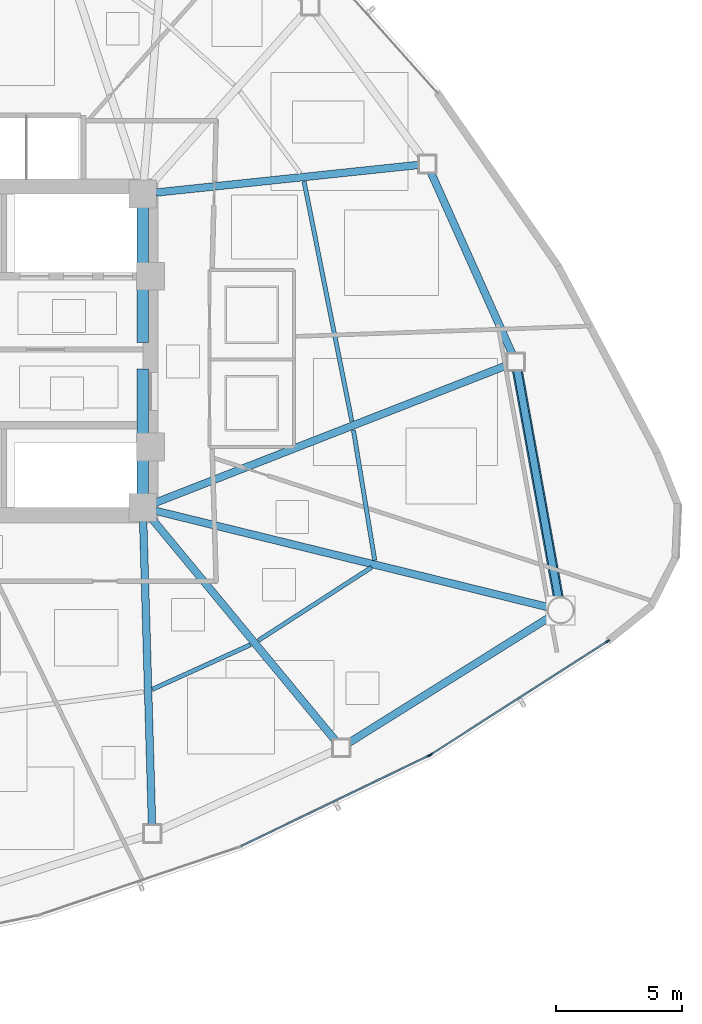
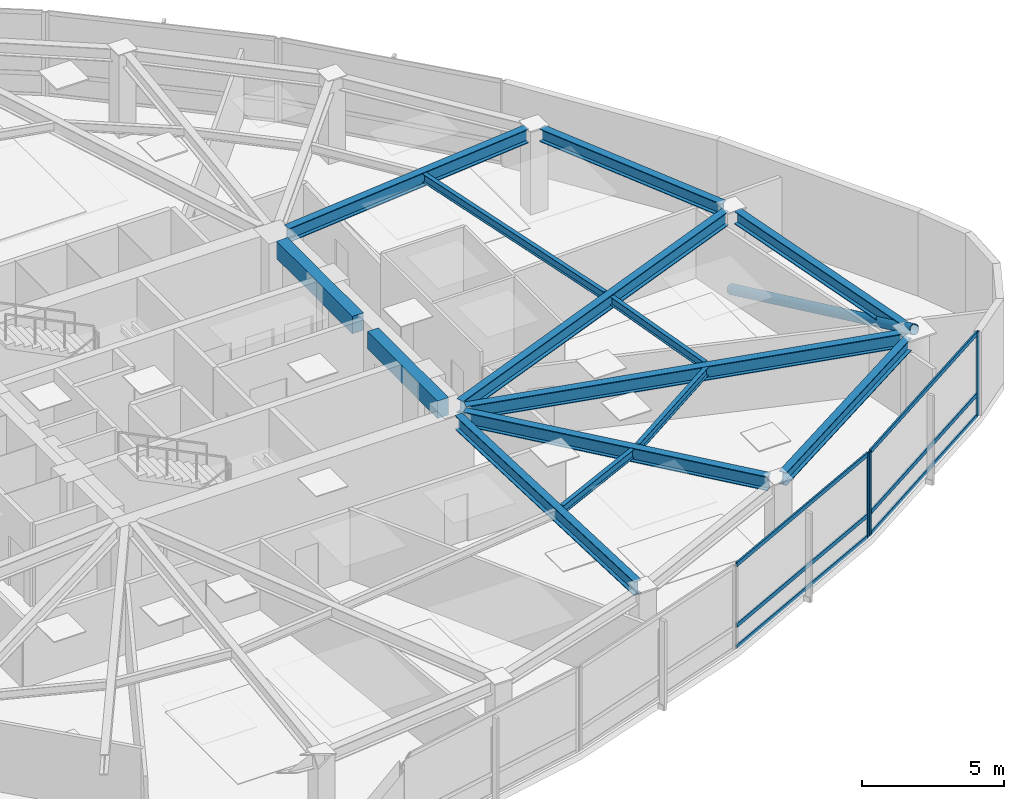
# One storey, part 6 of 17: 14 beams, 10 members, 2 elements without a shape of their own.
"""IFC4 building model written with IfcOpenShell, lengths in metres."""

from ifc_helpers import new_model, si_unit, direction, frame, origin, origin_2d, place, context, subcontext, project, spatial, rectangle, hollow_rectangle, hollow_circle, i_section, extrude, source, transform, mapped, material, layer, layer_set, material_profile, profile_set, type_object, type_shapes, element, aggregate, save


model = new_model("IFC4")

# Units and contexts
model_context = context("Model", 3, precision=1e-05, world=origin(), true_north=direction((0.0, 1.0)))
body_context = subcontext(model_context, "Body", "Model", "MODEL_VIEW")
ifc_project = project(units=[si_unit("LENGTHUNIT", "METRE"), si_unit("AREAUNIT", "SQUARE_METRE"), si_unit("VOLUMEUNIT", "CUBIC_METRE"), si_unit("PLANEANGLEUNIT", "RADIAN"), si_unit("MASSUNIT", "GRAM", prefix="KILO")], contexts=[model_context])

# Site, building, storey
site_placement = place(None, origin())
site = spatial("IfcSite", under=ifc_project, at=site_placement, CompositionType="ELEMENT")
building_placement = place(site_placement, origin())
building = spatial("IfcBuilding", under=site, at=building_placement, Name="Tavelor Broadcast Tower", CompositionType="ELEMENT")
storey_placement = place(building_placement, frame((0.0, 0.0, 90.0)))
storey = spatial("IfcBuildingStorey", under=building, at=storey_placement, Name="L21", CompositionType="ELEMENT", Elevation=90.0)

# Beams
ifc_material_1 = material(Name="Concrete C40/50", Category="concrete")
ifc_material_profile_1 = material_profile(ifc_material_1, rectangle(XDim=0.449951171875, YDim=0.75, at=origin_2d()), Name="RC 450x750")
ifc_profile_set_1 = profile_set([ifc_material_profile_1], Name="Concrete C40/50")
beam_type_1 = type_object("IfcBeamType", Name="Basement Core Trim Beam 450x750", PredefinedType="BEAM", material=ifc_profile_set_1)
beam_1_placement = place(storey_placement, frame((56.60009765625, 45.327880859375, 3.22509765625), z_axis=(0.0, 1.0, 0.0), x_axis=(-1.0, 0.0, 0.0)))
element("IfcBeam", 1, at=beam_1_placement, inside=storey, type_object=beam_type_1, Name="L21 Core East-N Tie Girder", PredefinedType="BEAM", context=body_context, shape_type="SweptSolid", body=[
    extrude(rectangle(XDim=0.449951171875, YDim=0.75, at=origin_2d()), origin(), (0.0, 0.0, 1.0), 5.34423828125),
])
beam_2_placement = place(storey_placement, frame((56.60009765625, 39.327880859375, 3.22509765625), z_axis=(0.0, 1.0, 0.0), x_axis=(-1.0, 0.0, 0.0)))
element("IfcBeam", 2, at=beam_2_placement, inside=storey, type_object=beam_type_1, Name="L21 Core East-S Tie Girder", PredefinedType="BEAM", context=body_context, shape_type="SweptSolid", body=[
    extrude(rectangle(XDim=0.449951171875, YDim=0.75, at=origin_2d()), origin(), (0.0, 0.0, 1.0), 4.944091796875),
])
ifc_material_2 = material(Name="Steel S355", Category="steel")
ifc_material_profile_2 = material_profile(ifc_material_2, i_section(OverallWidth=0.169921875, OverallDepth=0.360107421875, WebThickness=0.008056640625, FlangeThickness=0.0126953125, at=origin_2d()), Name="IPE 360")
ifc_profile_set_2 = profile_set([ifc_material_profile_2], Name="Steel S355")
beam_type_2 = type_object("IfcBeamType", Name="Composite Floor Joist T2 IPE 360", PredefinedType="JOIST", material=ifc_profile_set_2)
beam_3_placement = place(storey_placement, frame((56.976318359375, 31.61865234375, 3.419921875), z_axis=(0.910576347723, 0.413340918573, 0.0), x_axis=(-0.413340918573, 0.910576347723, 0.0)))
element("IfcBeam", 3, at=beam_3_placement, inside=storey, type_object=beam_type_2, Name="L21 Secondary Composite Floor Joist 11", PredefinedType="JOIST", context=body_context, shape_type="SweptSolid", body=[
    extrude(i_section(OverallWidth=0.169921875, OverallDepth=0.360107421875, WebThickness=0.008056640625, FlangeThickness=0.0126953125, at=origin_2d()), origin(), (0.0, 0.0, 1.0), 4.26025390625),
])
beam_4_placement = place(storey_placement, frame((61.172607421875, 33.552490234375, 3.419921875), z_axis=(0.839830816691, 0.542848228639, 0.0), x_axis=(-0.542848228639, 0.839830816691, 0.0)))
element("IfcBeam", 4, at=beam_4_placement, inside=storey, type_object=beam_type_2, Name="L21 Secondary Composite Floor Joist 12", PredefinedType="JOIST", context=body_context, shape_type="SweptSolid", body=[
    extrude(i_section(OverallWidth=0.169921875, OverallDepth=0.360107421875, WebThickness=0.008056640625, FlangeThickness=0.0126953125, at=origin_2d()), origin(), (0.0, 0.0, 1.0), 5.325439453125),
])
beam_5_placement = place(storey_placement, frame((65.767822265625, 36.72021484375, 3.419921875), z_axis=(-0.161277112784, 0.986909161419, 0.0), x_axis=(-0.986909161419, -0.161277112784, 0.0)))
element("IfcBeam", 5, at=beam_5_placement, inside=storey, type_object=beam_type_2, Name="L21 Secondary Composite Floor Joist 13", PredefinedType="JOIST", context=body_context, shape_type="SweptSolid", body=[
    extrude(i_section(OverallWidth=0.169921875, OverallDepth=0.360107421875, WebThickness=0.008056640625, FlangeThickness=0.0126953125, at=origin_2d()), origin(), (0.0, 0.0, 1.0), 5.213623046875),
])
beam_6_placement = place(storey_placement, frame((64.8623046875, 42.2216796875, 3.419921875), z_axis=(-0.195581157194, 0.980687519524, 0.0), x_axis=(-0.980687519524, -0.195581157194, 0.0)))
element("IfcBeam", 6, at=beam_6_placement, inside=storey, type_object=beam_type_2, Name="L21 Secondary Composite Floor Joist 14", PredefinedType="JOIST", context=body_context, shape_type="SweptSolid", body=[
    extrude(i_section(OverallWidth=0.169921875, OverallDepth=0.360107421875, WebThickness=0.008056640625, FlangeThickness=0.0126953125, at=origin_2d()), origin(), (0.0, 0.0, 1.0), 9.654296875),
])
ifc_material_profile_3 = material_profile(ifc_material_2, i_section(OverallWidth=0.300048828125, OverallDepth=0.550048828125, WebThickness=0.014892578125, FlangeThickness=0.029052734375, at=origin_2d()), Name="HEB 550")
ifc_profile_set_3 = profile_set([ifc_material_profile_3], Name="Steel S355")
beam_type_3 = type_object("IfcBeamType", Name="Perimeter Spandrel Beam T2 HEB 550", PredefinedType="SPANDREL", material=ifc_profile_set_3)
beam_7_placement = place(storey_placement, frame((64.728271484375, 29.493408203125, 3.324951171875), z_axis=(0.847666386228, 0.530529638813, 0.0), x_axis=(-0.530529638813, 0.847666386228, 0.0)))
element("IfcBeam", 7, at=beam_7_placement, inside=storey, type_object=beam_type_3, Name="L21 Framed-Tube Ring Spandrel 12", PredefinedType="SPANDREL", context=body_context, shape_type="SweptSolid", body=[
    extrude(i_section(OverallWidth=0.300048828125, OverallDepth=0.550048828125, WebThickness=0.014892578125, FlangeThickness=0.029052734375, at=origin_2d()), origin(), (0.0, 0.0, 1.0), 9.385009765625),
])
beam_8_placement = place(storey_placement, frame((73.02685546875, 35.248046875, 3.324951171875), z_axis=(-0.177746542691, 0.984076301189, 0.0), x_axis=(-0.984076301189, -0.177746542691, 0.0)))
element("IfcBeam", 8, at=beam_8_placement, inside=storey, type_object=beam_type_3, Name="L21 Framed-Tube Ring Spandrel 13", PredefinedType="SPANDREL", context=body_context, shape_type="SweptSolid", body=[
    extrude(i_section(OverallWidth=0.300048828125, OverallDepth=0.550048828125, WebThickness=0.014892578125, FlangeThickness=0.029052734375, at=origin_2d()), origin(), (0.0, 0.0, 1.0), 9.13134765625),
])
beam_9_placement = place(storey_placement, frame((71.206787109375, 44.87109375, 3.324951171875), z_axis=(-0.408951132019, 0.912556284084, 0.0), x_axis=(-0.912556284084, -0.408951132019, 0.0)))
element("IfcBeam", 9, at=beam_9_placement, inside=storey, type_object=beam_type_3, Name="L21 Framed-Tube Ring Spandrel 14", PredefinedType="SPANDREL", context=body_context, shape_type="SweptSolid", body=[
    extrude(i_section(OverallWidth=0.300048828125, OverallDepth=0.550048828125, WebThickness=0.014892578125, FlangeThickness=0.029052734375, at=origin_2d()), origin(), (0.0, 0.0, 1.0), 7.895263671875),
])

# Member
ifc_material_profile_4 = material_profile(ifc_material_2, hollow_circle(Radius=0.203125, WallThickness=0.02001953125, at=origin_2d()), Name="CHS 406.4x20")
ifc_profile_set_4 = profile_set([ifc_material_profile_4], Name="Steel S355")
member_type_1 = type_object("IfcMemberType", Name="Perimeter Tube Brace T2 CHS 406.4x20", PredefinedType="BRACE", material=ifc_profile_set_4)
member_1_placement = place(storey_placement, frame((71.343994140625, 44.564697265625, 0.0), z_axis=(0.167205980675, -0.925685078259, 0.339336552578), x_axis=(0.984075144607, 0.177752945874, 0.0)))
element("IfcMember", 10, at=member_1_placement, inside=storey, type_object=member_type_1, Name="L21 Corner Tube Diagonal Brace 3", PredefinedType="BRACE", context=body_context, shape_type="SweptSolid", body=[
    extrude(hollow_circle(Radius=0.203125, WallThickness=0.02001953125, at=origin_2d()), origin(), (0.0, 0.0, 1.0), 10.609130859375),
])

# Beams
ifc_material_profile_5 = material_profile(ifc_material_2, i_section(OverallWidth=0.300048828125, OverallDepth=0.60009765625, WebThickness=0.015380859375, FlangeThickness=0.030029296875, at=origin_2d()), Name="HEB 600")
ifc_profile_set_5 = profile_set([ifc_material_profile_5], Name="Steel S355")
beam_type_4 = type_object("IfcBeamType", Name="Radial Floor Girder T2 HEB 600", PredefinedType="BEAM", material=ifc_profile_set_5)
beam_10_placement = place(storey_placement, frame((56.615478515625, 38.272216796875, 3.300048828125), z_axis=(0.029126279866, -0.999575739912, 0.0), x_axis=(0.999575739912, 0.029126279866, 0.0)))
element("IfcBeam", 11, at=beam_10_placement, inside=storey, type_object=beam_type_4, Name="L21 Radial Primary Floor Girder 11", PredefinedType="BEAM", context=body_context, shape_type="SweptSolid", body=[
    extrude(i_section(OverallWidth=0.300048828125, OverallDepth=0.60009765625, WebThickness=0.015380859375, FlangeThickness=0.030029296875, at=origin_2d()), origin(), (0.0, 0.0, 1.0), 12.02001953125),
])
beam_11_placement = place(storey_placement, frame((56.9365234375, 38.39306640625, 3.300048828125), z_axis=(0.637277760564, -0.770634190709, 0.0), x_axis=(0.770634190709, 0.637277760564, 0.0)))
element("IfcBeam", 12, at=beam_11_placement, inside=storey, type_object=beam_type_4, Name="L21 Radial Primary Floor Girder 12", PredefinedType="BEAM", context=body_context, shape_type="SweptSolid", body=[
    extrude(i_section(OverallWidth=0.300048828125, OverallDepth=0.60009765625, WebThickness=0.015380859375, FlangeThickness=0.030029296875, at=origin_2d()), origin(), (0.0, 0.0, 1.0), 11.44384765625),
])
beam_12_placement = place(storey_placement, frame((57.11279296875, 38.674072265625, 3.300048828125), z_axis=(0.971151145926, -0.238464780979, 0.0), x_axis=(0.238464780979, 0.971151145926, 0.0)))
element("IfcBeam", 13, at=beam_12_placement, inside=storey, type_object=beam_type_4, Name="L21 Radial Primary Floor Girder 13", PredefinedType="BEAM", context=body_context, shape_type="SweptSolid", body=[
    extrude(i_section(OverallWidth=0.300048828125, OverallDepth=0.60009765625, WebThickness=0.015380859375, FlangeThickness=0.030029296875, at=origin_2d()), origin(), (0.0, 0.0, 1.0), 15.96826171875),
])
beam_13_placement = place(storey_placement, frame((57.091796875, 38.9921875, 3.300048828125), z_axis=(0.931341899941, 0.36414593972, 0.0), x_axis=(-0.36414593972, 0.931341899941, 0.0)))
element("IfcBeam", 14, at=beam_13_placement, inside=storey, type_object=beam_type_4, Name="L21 Radial Primary Floor Girder 14", PredefinedType="BEAM", context=body_context, shape_type="SweptSolid", body=[
    extrude(i_section(OverallWidth=0.300048828125, OverallDepth=0.60009765625, WebThickness=0.015380859375, FlangeThickness=0.030029296875, at=origin_2d()), origin(), (0.0, 0.0, 1.0), 14.967041015625),
])
beam_14_placement = place(storey_placement, frame((57.125, 51.255126953125, 3.300048828125), z_axis=(0.994510577777, 0.104636086941, 0.0), x_axis=(-0.104636086941, 0.994510577777, 0.0)))
element("IfcBeam", 15, at=beam_14_placement, inside=storey, type_object=beam_type_4, Name="L21 Radial Primary Floor Girder 15", PredefinedType="BEAM", context=body_context, shape_type="SweptSolid", body=[
    extrude(i_section(OverallWidth=0.300048828125, OverallDepth=0.60009765625, WebThickness=0.015380859375, FlangeThickness=0.030029296875, at=origin_2d()), origin(), (0.0, 0.0, 1.0), 10.43896484375),
])

# Curtain wall, member
ifc_material_3 = material(Name="Architectural Anodized Aluminium", Category="aluminium")
ifc_layer = layer(ifc_material_3, 0.179931640625)
ifc_layer_set = layer_set([ifc_layer], Name="Architectural Anodized Aluminium")
curtain_wall_type = type_object("IfcCurtainWallType", Name="Tower Low-Zone Unitised Curtain Wall CW02", PredefinedType="NOTDEFINED", material=ifc_layer_set)
curtain_wall_1_placement = place(storey_placement, origin())
curtain_wall_1 = element("IfcCurtainWall", 16, at=curtain_wall_1_placement, inside=storey, type_object=curtain_wall_type, Name="L21 Curtain Wall CW02 Run 211", PredefinedType="NOTDEFINED")
ifc_material_profile_6 = material_profile(ifc_material_3, hollow_rectangle(XDim=0.06494140625, YDim=0.179931640625, WallThickness=0.02197265625, at=origin_2d()), Name="RHS 65x180x22")
ifc_profile_set_6 = profile_set([ifc_material_profile_6], Name="Architectural Anodized Aluminium")
member_type_2 = type_object("IfcMemberType", Name="CW02 Extruded Aluminium Mullion 65x180", PredefinedType="MULLION", material=ifc_profile_set_6)
shared_shape_1 = source(origin(), body_context, "Body", "SweptSolid", [
    extrude(hollow_rectangle(XDim=0.06494140625, YDim=0.179931640625, WallThickness=0.02197265625, at=origin_2d()), origin(), (0.0, 0.0, 1.0), 3.60009765625),
])
type_shapes(member_type_2, [shared_shape_1])
member_2_placement = place(storey_placement, frame((67.912841796875, 28.996826171875, 0.0), z_axis=(0.0, 0.0, 1.0), x_axis=(-0.434067422575, 0.900880387543, 0.0)))
member_2 = element("IfcMember", 17, at=member_2_placement, type_object=member_type_2, Name="CW02 mullion 2", PredefinedType="MULLION", context=body_context, shape_type="MappedRepresentation", body=[
    mapped(shared_shape_1, transform((0.0, 0.0, 0.0), scale=1.0)),
])

# Curtain wall, members
curtain_wall_2_placement = place(storey_placement, origin())
curtain_wall_2 = element("IfcCurtainWall", 18, at=curtain_wall_2_placement, inside=storey, type_object=curtain_wall_type, Name="L21 Curtain Wall CW02 Run 212", PredefinedType="NOTDEFINED")
member_3_placement = place(storey_placement, frame((67.99560546875, 29.043212890625, 0.0), z_axis=(0.0, 0.0, 1.0), x_axis=(-0.539896582265, 0.841731358842, 0.0)))
member_3 = element("IfcMember", 19, at=member_3_placement, type_object=member_type_2, Name="CW02 mullion 1", PredefinedType="MULLION", context=body_context, shape_type="MappedRepresentation", body=[
    mapped(shared_shape_1, transform((0.0, 0.0, 0.0), scale=1.0)),
])
member_4_placement = place(storey_placement, frame((74.96923828125, 33.51611328125, 0.0), z_axis=(0.0, 0.0, 1.0), x_axis=(-0.539896582265, 0.841731358842, 0.0)))
member_4 = element("IfcMember", 20, at=member_4_placement, type_object=member_type_2, Name="CW02 mullion 2", PredefinedType="MULLION", context=body_context, shape_type="MappedRepresentation", body=[
    mapped(shared_shape_1, transform((0.0, 0.0, 0.0), scale=1.0)),
])

# Member
ifc_material_profile_7 = material_profile(ifc_material_3, hollow_rectangle(XDim=0.06494140625, YDim=0.179931640625, WallThickness=0.02197265625, at=origin_2d()), Name="RHS 65x180x22")
ifc_profile_set_7 = profile_set([ifc_material_profile_7], Name="Architectural Anodized Aluminium")
member_type_3 = type_object("IfcMemberType", Name="CW02 Extruded Aluminium Transom 65x180", PredefinedType="USERDEFINED", material=ifc_profile_set_7)
shared_shape_2 = source(origin(), body_context, "Body", "SweptSolid", [
    extrude(hollow_rectangle(XDim=0.06494140625, YDim=0.179931640625, WallThickness=0.02197265625, at=origin_2d()), origin(), (0.0, 0.0, 1.0), 8.203857421875),
])
member_5_placement = place(storey_placement, frame((60.492919921875, 25.421630859375, 0.032470703125), z_axis=(0.900878419968, 0.434071506133, 0.0), x_axis=(-0.434071506133, 0.900878419968, 0.0)))
member_5 = element("IfcMember", 21, at=member_5_placement, type_object=member_type_3, Name="CW02 transom 1.1", ObjectType="TRANSOM", PredefinedType="USERDEFINED", context=body_context, shape_type="MappedRepresentation", body=[
    mapped(shared_shape_2, transform((0.0, 0.0, 0.0), scale=1.0)),
])

member_6_placement = place(storey_placement, frame((60.492919921875, 25.421630859375, 0.949951171875), z_axis=(0.900878419968, 0.434071506133, 0.0), x_axis=(-0.434071506133, 0.900878419968, 0.0)))
member_6 = element("IfcMember", 22, at=member_6_placement, type_object=member_type_3, Name="CW02 transom 1.2", ObjectType="TRANSOM", PredefinedType="USERDEFINED", context=body_context, shape_type="MappedRepresentation", body=[
    mapped(shared_shape_2, transform((0.0, 0.0, 0.0), scale=1.0)),
])

member_7_placement = place(storey_placement, frame((60.492919921875, 25.421630859375, 3.5673828125), z_axis=(0.900878419968, 0.434071506133, 0.0), x_axis=(-0.434071506133, 0.900878419968, 0.0)))
member_7 = element("IfcMember", 23, at=member_7_placement, type_object=member_type_3, Name="CW02 transom 1.3", ObjectType="TRANSOM", PredefinedType="USERDEFINED", context=body_context, shape_type="MappedRepresentation", body=[
    mapped(shared_shape_2, transform((0.0, 0.0, 0.0), scale=1.0)),
])

aggregate(curtain_wall_1, [member_2, member_5, member_6, member_7])

shared_shape_3 = source(origin(), body_context, "Body", "SweptSolid", [
    extrude(hollow_rectangle(XDim=0.06494140625, YDim=0.179931640625, WallThickness=0.02197265625, at=origin_2d()), origin(), (0.0, 0.0, 1.0), 8.2197265625),
])
type_shapes(member_type_3, [shared_shape_2, shared_shape_3])
member_8_placement = place(storey_placement, frame((68.02294921875, 29.060791015625, 0.032470703125), z_axis=(0.841739668962, 0.539883626067, 0.0), x_axis=(-0.539883626067, 0.841739668962, 0.0)))
member_8 = element("IfcMember", 24, at=member_8_placement, type_object=member_type_3, Name="CW02 transom 1.1", ObjectType="TRANSOM", PredefinedType="USERDEFINED", context=body_context, shape_type="MappedRepresentation", body=[
    mapped(shared_shape_3, transform((0.0, 0.0, 0.0), scale=1.0)),
])

member_9_placement = place(storey_placement, frame((68.02294921875, 29.060791015625, 0.949951171875), z_axis=(0.841739668962, 0.539883626067, 0.0), x_axis=(-0.539883626067, 0.841739668962, 0.0)))
member_9 = element("IfcMember", 25, at=member_9_placement, type_object=member_type_3, Name="CW02 transom 1.2", ObjectType="TRANSOM", PredefinedType="USERDEFINED", context=body_context, shape_type="MappedRepresentation", body=[
    mapped(shared_shape_3, transform((0.0, 0.0, 0.0), scale=1.0)),
])

member_10_placement = place(storey_placement, frame((68.02294921875, 29.060791015625, 3.5673828125), z_axis=(0.841739668962, 0.539883626067, 0.0), x_axis=(-0.539883626067, 0.841739668962, 0.0)))
member_10 = element("IfcMember", 26, at=member_10_placement, type_object=member_type_3, Name="CW02 transom 1.3", ObjectType="TRANSOM", PredefinedType="USERDEFINED", context=body_context, shape_type="MappedRepresentation", body=[
    mapped(shared_shape_3, transform((0.0, 0.0, 0.0), scale=1.0)),
])

aggregate(curtain_wall_2, [member_3, member_4, member_8, member_9, member_10])

save(model, "model.ifc")
